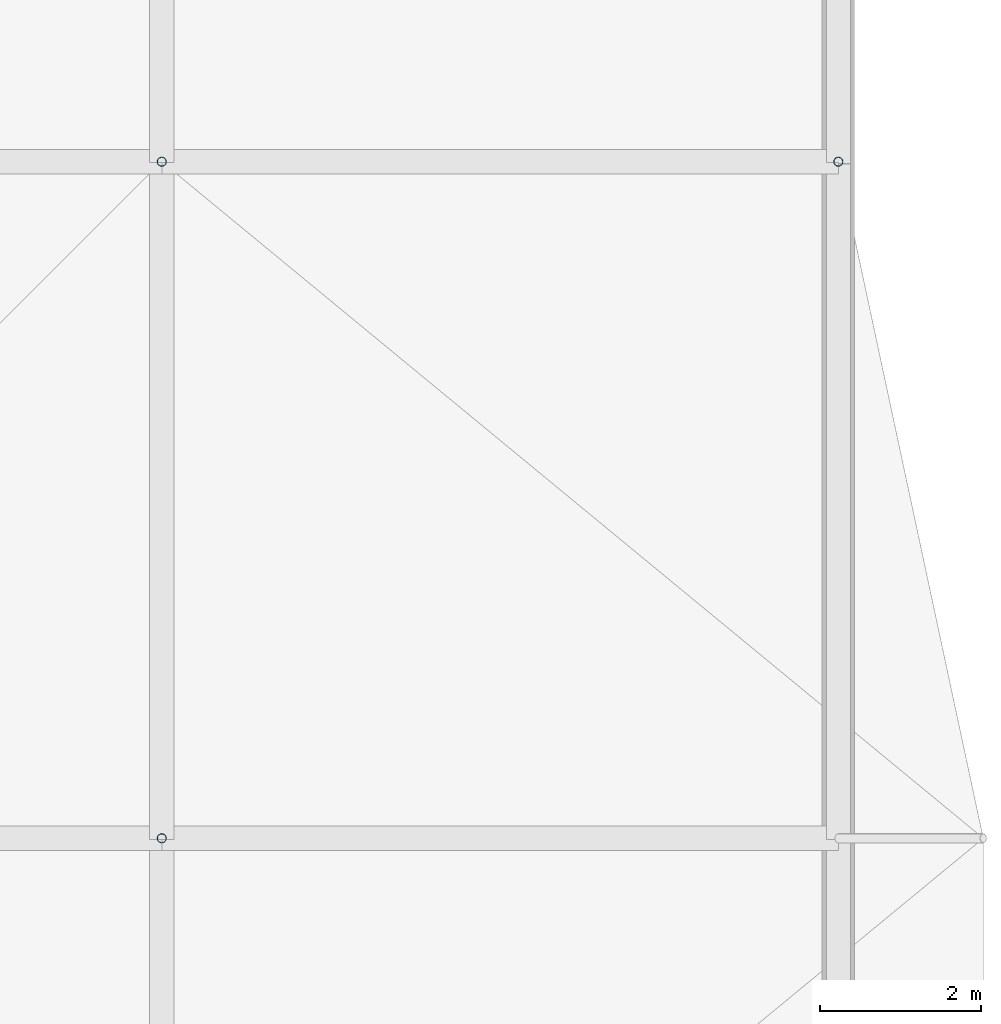
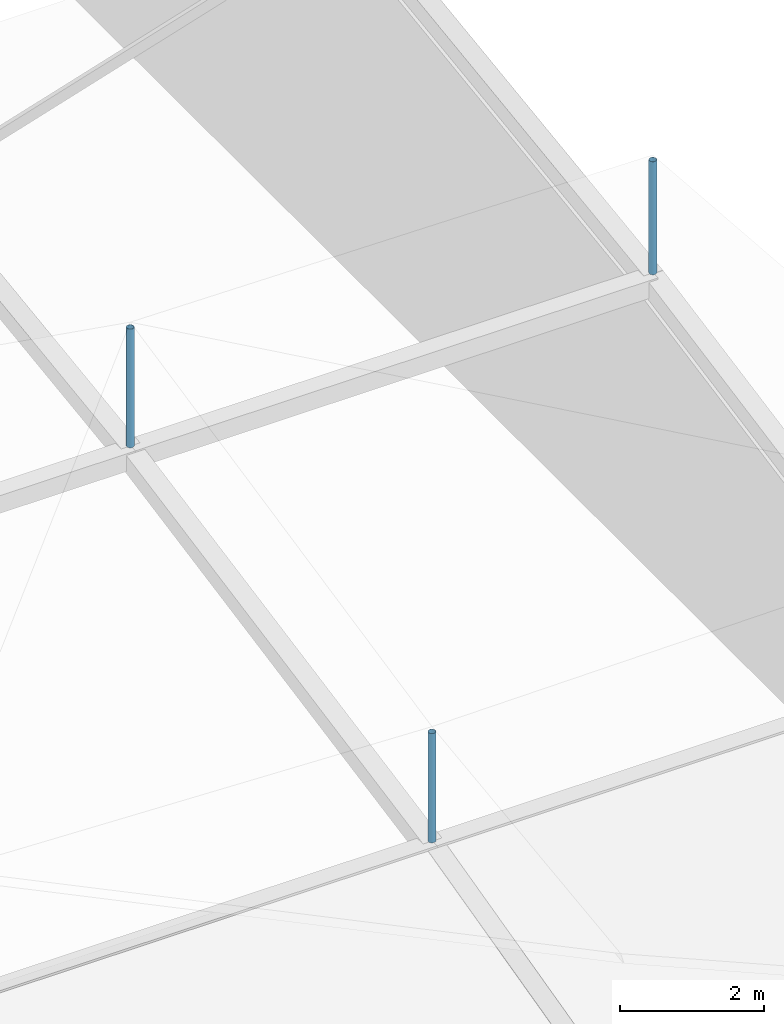
# One storey, part 38 of 111: 3 discrete accessories.
"""IFC4 building model written with IfcOpenShell, lengths in metres."""

from ifc_helpers import new_model, si_unit, direction, frame, origin, origin_2d, place, context, subcontext, project, spatial, hollow_circle, extrude, material, material_profile, profile_set, type_object, element, save


model = new_model("IFC4")

# Units and contexts
model_context = context("Model", 3, precision=1e-05, world=origin(), true_north=direction((0.0, 1.0)))
body_context = subcontext(model_context, "Body", "Model", "MODEL_VIEW")
ifc_project = project(units=[si_unit("LENGTHUNIT", "METRE"), si_unit("AREAUNIT", "SQUARE_METRE"), si_unit("VOLUMEUNIT", "CUBIC_METRE"), si_unit("PLANEANGLEUNIT", "RADIAN"), si_unit("MASSUNIT", "GRAM", prefix="KILO")], contexts=[model_context])

# Site, building, storey
site_placement = place(None, origin())
site = spatial("IfcSite", under=ifc_project, at=site_placement, CompositionType="ELEMENT")
building_placement = place(site_placement, origin())
building = spatial("IfcBuilding", under=site, at=building_placement, Name="Rain Tree Exposition and Congress Centre", CompositionType="ELEMENT")
storey_placement = place(building_placement, frame((0.0, 0.0, 19.5)))
storey = spatial("IfcBuildingStorey", under=building, at=storey_placement, Name="RF", CompositionType="ELEMENT", Elevation=19.5)

# Discrete accessories
ifc_material = material(Name="Steel S355J2H", Category="steel")
ifc_material_profile = material_profile(ifc_material, hollow_circle(Radius=0.05712890625, WallThickness=0.00439453125, at=origin_2d()), Name="CHS 114x4.5")
ifc_profile_set = profile_set([ifc_material_profile], Name="Steel S355J2H")
discrete_accessory_type = type_object("IfcDiscreteAccessoryType", Name="Roof skin post CHS 114x4.5", PredefinedType="BRACKET", material=ifc_profile_set)
discrete_accessory_1_placement = place(storey_placement, frame((117.60009765625, 117.60009765625, 3.22412109375), z_axis=(0.0, 0.0, 1.0), x_axis=(1.0, 0.0, 0.0)))
element("IfcDiscreteAccessory", 1, at=discrete_accessory_1_placement, inside=storey, type_object=discrete_accessory_type, Name="Roof skin post A44", PredefinedType="BRACKET", context=body_context, shape_type="SweptSolid", body=[
    extrude(hollow_circle(Radius=0.05712890625, WallThickness=0.00439453125, at=origin_2d()), origin(), (0.0, 0.0, 1.0), 1.85498046875),
])
discrete_accessory_2_placement = place(storey_placement, frame((117.60009765625, 126.0, 4.843017578125), z_axis=(0.0, 0.0, 1.0), x_axis=(1.0, 0.0, 0.0)))
element("IfcDiscreteAccessory", 2, at=discrete_accessory_2_placement, inside=storey, type_object=discrete_accessory_type, Name="Roof skin post A59", PredefinedType="BRACKET", context=body_context, shape_type="SweptSolid", body=[
    extrude(hollow_circle(Radius=0.05712890625, WallThickness=0.00439453125, at=origin_2d()), origin(), (0.0, 0.0, 1.0), 2.01611328125),
])
discrete_accessory_3_placement = place(storey_placement, frame((126.0, 126.0, 4.843017578125), z_axis=(0.0, 0.0, 1.0), x_axis=(1.0, 0.0, 0.0)))
element("IfcDiscreteAccessory", 3, at=discrete_accessory_3_placement, inside=storey, type_object=discrete_accessory_type, Name="Roof skin post A60", PredefinedType="BRACKET", context=body_context, shape_type="SweptSolid", body=[
    extrude(hollow_circle(Radius=0.05712890625, WallThickness=0.00439453125, at=origin_2d()), origin(), (0.0, 0.0, 1.0), 1.920166015625),
])

save(model, "model.ifc")
